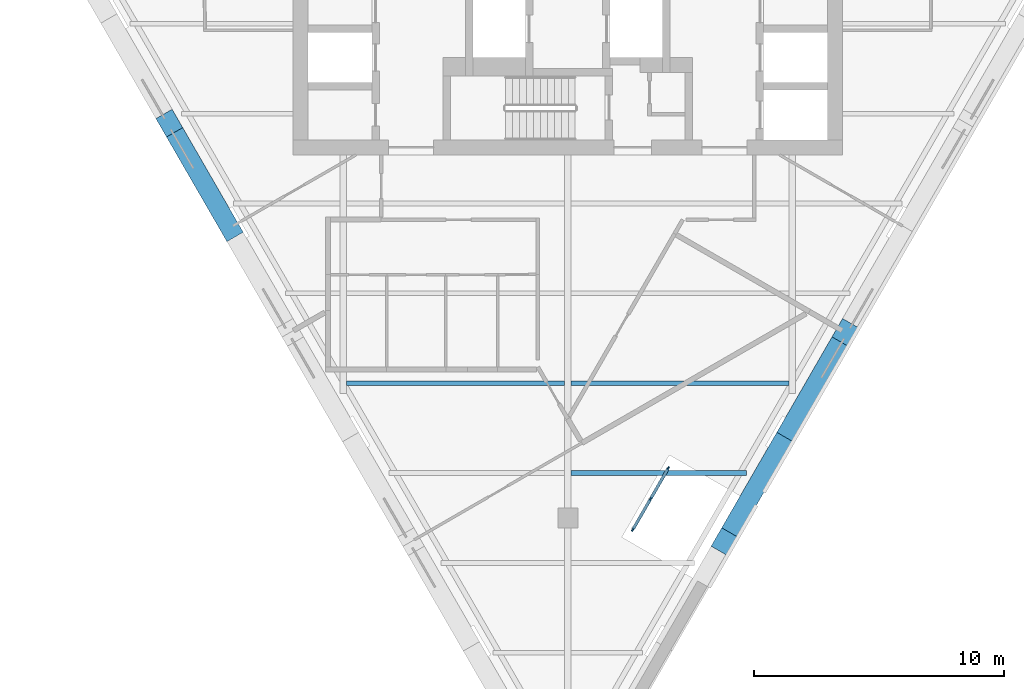
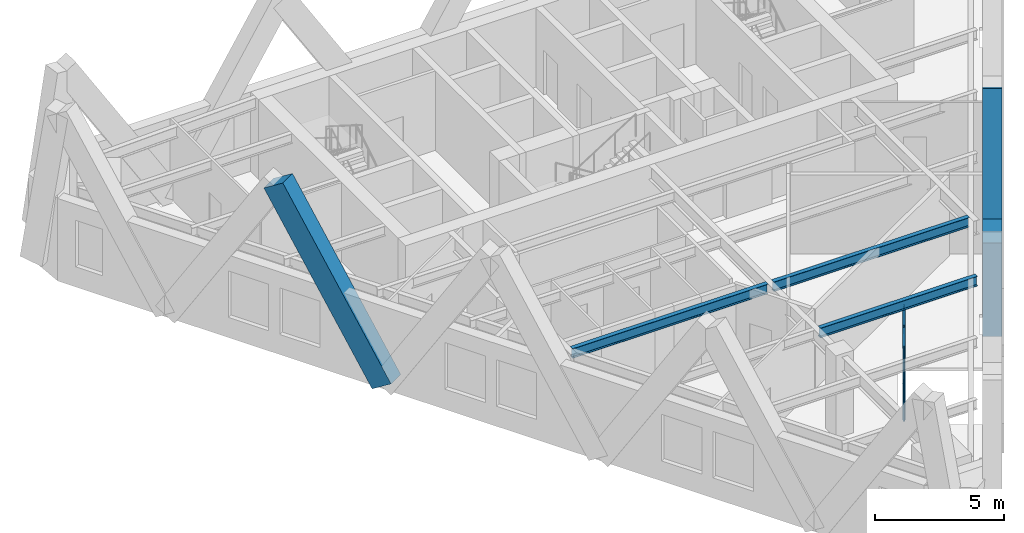
# One storey, part 2 of 10: 12 members, 3 beams, 1 element without a shape of its own.
"""IFC4 building model written with IfcOpenShell, lengths in metres."""

import ifcopenshell
import ifcopenshell.guid

model = None  # the IFC model being written
_history = None  # IfcOwnerHistory: only IFC2X3 demands one
_inside = {}  # id of a spatial element -> (the spatial element, [elements in it])
_under = {}  # id of a project, library or spatial element -> (it, [spatial elements below it])
_declared = {}  # id of a project -> (the project, [libraries it declares])
_typed = {}  # id of a type object -> (the type object, [elements of that type])
_made_of = {}  # id of a material, layer set ... -> (it, [elements and type objects made of it])


def new_model(schema):
    """Start an empty IFC model of exactly this schema.

    Asked for "IFC4X3", IfcOpenShell would pick the latest addendum, in which some entities
    have other attributes; the version numbers below select the first issue.
    IFC2X3 requires an IfcOwnerHistory on every rooted entity: one is made here for all.
    """
    global model, _history
    if schema == "IFC4X3":
        model = ifcopenshell.file(schema_version=(4, 3, 0, 0))
    else:
        model = ifcopenshell.file(schema=schema)
    _inside.clear()
    _under.clear()
    _declared.clear()
    _typed.clear()
    _made_of.clear()
    _history = None
    if model.schema == "IFC2X3":
        org = make("IfcOrganization", Name="unknown")
        user = make(
            "IfcPersonAndOrganization",
            ThePerson=make("IfcPerson", FamilyName="unknown"),
            TheOrganization=org,
        )
        app = make(
            "IfcApplication",
            ApplicationDeveloper=org,
            Version="unknown",
            ApplicationFullName="unknown",
            ApplicationIdentifier="unknown",
        )
        _history = make(
            "IfcOwnerHistory",
            OwningUser=user,
            OwningApplication=app,
            ChangeAction="ADDED",
            CreationDate=0,
        )
    return model


def make(cls, **values):
    """One entity of the class cls with the attributes given. An attribute that is None is left unset."""
    return model.create_entity(
        cls, **{name: value for name, value in values.items() if value is not None}
    )


def rooted(cls, **values):
    """An entity with a GlobalId (a new one), such as an element, a storey or a relation."""
    return make(cls, GlobalId=ifcopenshell.guid.new(), OwnerHistory=_history, **values)


def si_unit(unit_type, name, prefix=None):
    """IfcSIUnit, for example si_unit("LENGTHUNIT", "METRE", prefix="MILLI")."""
    return make("IfcSIUnit", UnitType=unit_type, Prefix=prefix, Name=name)


def assignment(units):
    """IfcUnitAssignment: the units of a project."""
    return None if units is None else make("IfcUnitAssignment", Units=units)


def point(xyz):
    """IfcCartesianPoint."""
    return None if xyz is None else make("IfcCartesianPoint", Coordinates=xyz)


def direction(xyz):
    """IfcDirection."""
    return None if xyz is None else make("IfcDirection", DirectionRatios=xyz)


def frame(location, z_axis=None, x_axis=None):
    """IfcAxis2Placement3D, a coordinate frame: its origin and axes. An axis left out is left unset."""
    return make(
        "IfcAxis2Placement3D",
        Location=point(location),
        Axis=direction(z_axis),
        RefDirection=direction(x_axis),
    )


def frame_2d(location, x_axis=None):
    """IfcAxis2Placement2D, a coordinate frame in the plane: its origin and x axis."""
    return make(
        "IfcAxis2Placement2D", Location=point(location), RefDirection=direction(x_axis)
    )


def origin():
    """The frame at (0, 0, 0) with its axes left unset."""
    return frame((0.0, 0.0, 0.0))


def origin_2d():
    """The frame at (0, 0) in the plane with its x axis left unset."""
    return frame_2d((0.0, 0.0))


def place(relative_to, where):
    """IfcLocalPlacement: puts the frame where relative to a parent placement (None: the world)."""
    return make(
        "IfcLocalPlacement", PlacementRelTo=relative_to, RelativePlacement=where
    )


def context(
    kind, dimensions, precision=None, world=None, true_north=None, identifier=None
):
    """IfcGeometricRepresentationContext, for example the 3D "Model" context."""
    return make(
        "IfcGeometricRepresentationContext",
        ContextIdentifier=identifier,
        ContextType=kind,
        CoordinateSpaceDimension=dimensions,
        Precision=precision,
        WorldCoordinateSystem=world,
        TrueNorth=true_north,
    )


def subcontext(parent, identifier, kind, view, scale=None):
    """IfcGeometricRepresentationSubContext, for example "Body" below "Model"."""
    return make(
        "IfcGeometricRepresentationSubContext",
        ContextIdentifier=identifier,
        ContextType=kind,
        ParentContext=parent,
        TargetScale=scale,
        TargetView=view,
    )


def project(units=None, contexts=None):
    """IfcProject with its units and contexts."""
    return rooted(
        "IfcProject",
        Name="project",
        RepresentationContexts=contexts,
        UnitsInContext=assignment(units),
    )


def spatial(cls, under=None, at=None, **own):
    """A site, building, storey or space (cls), placed at a placement, below another one or the project."""
    s = rooted(cls, ObjectPlacement=at, **own)
    if under is not None:
        _under.setdefault(under.id(), (under, []))[1].append(s)
    return s


def profile(cls, at=None, kind="AREA", **sizes):
    """A parametric profile (cls). Its sizes go by their IFC names, for example OverallWidth=200.0."""
    return make(cls, ProfileType=kind, Position=at, **sizes)


def rectangle(**sizes):
    """IfcRectangleProfileDef."""
    return profile("IfcRectangleProfileDef", **sizes)


def i_section(**sizes):
    """IfcIShapeProfileDef."""
    return profile("IfcIShapeProfileDef", **sizes)


def extrude(swept, where, along, depth):
    """IfcExtrudedAreaSolid: the profile swept, set in the frame where, extruded along a direction by depth."""
    return make(
        "IfcExtrudedAreaSolid",
        SweptArea=swept,
        Position=where,
        ExtrudedDirection=direction(along),
        Depth=depth,
    )


def shape(context_of_items, identifier, shape_type, items):
    """IfcShapeRepresentation: the items that make up one representation, for example the "Body"."""
    return make(
        "IfcShapeRepresentation",
        ContextOfItems=context_of_items,
        RepresentationIdentifier=identifier,
        RepresentationType=shape_type,
        Items=items,
    )


def material(Name=None, Category=None):
    """IfcMaterial."""
    return make("IfcMaterial", Name=Name, Category=Category)


def material_profile(
    of_material, cross_section, Name=None, Category=None, Priority=None
):
    """IfcMaterialProfile: a cross section and its material."""
    return make(
        "IfcMaterialProfile",
        Name=Name,
        Material=of_material,
        Profile=cross_section,
        Priority=Priority,
        Category=Category,
    )


def profile_set(profiles, Name=None, composite=None):
    """IfcMaterialProfileSet."""
    return make(
        "IfcMaterialProfileSet",
        Name=Name,
        MaterialProfiles=profiles,
        CompositeProfile=composite,
    )


def made_of(thing, what):
    """Note that an element or type object is made of a material, layer set ...; save() writes the relation."""
    if what is not None:
        _made_of.setdefault(what.id(), (what, []))[1].append(thing)
    return thing


def type_object(cls, material=None, **own):
    """A type object (cls), such as IfcWallType, which elements share."""
    return made_of(rooted(cls, **own), material)


def element(
    cls,
    number,
    at=None,
    inside=None,
    cuts=None,
    type_object=None,
    material=None,
    context=None,
    identifier="Body",
    shape_type=None,
    held_by="IfcProductDefinitionShape",
    body=None,
    shapes=None,
    **own,
):
    """One element of the class cls, such as IfcWall. Its Tag is "e" and its number.

    at: its placement. inside: the storey or other place that contains it. cuts: it is an
    opening in that element (IfcRelVoidsElement). A single representation is given by context,
    identifier, shape_type and body (its items); several are given by shapes. held_by: the class
    of the entity that holds the representations. save() writes the other relations.
    """
    e = rooted(cls, Tag="e%d" % number, ObjectPlacement=at, **own)
    if body is not None:
        shapes = [shape(context, identifier, shape_type, body)]
    if shapes is not None:
        e.Representation = make(held_by, Representations=shapes)
    if inside is not None:
        _inside.setdefault(inside.id(), (inside, []))[1].append(e)
    if cuts is not None:
        rooted(
            "IfcRelVoidsElement", RelatingBuildingElement=cuts, RelatedOpeningElement=e
        )
    if type_object is not None:
        _typed.setdefault(type_object.id(), (type_object, []))[1].append(e)
    return made_of(e, material)


def aggregate(whole, parts):
    """IfcRelAggregates: a whole, such as a stair, and the parts it consists of."""
    return rooted("IfcRelAggregates", RelatingObject=whole, RelatedObjects=parts)


def save(model, path):
    """Write the relations noted so far, then the file.

    IfcRelAggregates (storeys below a building ...), IfcRelContainedInSpatialStructure (elements
    in a storey), IfcRelDefinesByType, IfcRelAssociatesMaterial and IfcRelDeclares: one each for
    every whole, place, type object, material and project.
    """
    for whole, parts in _under.values():
        aggregate(whole, parts)
    for where, things in _inside.values():
        rooted(
            "IfcRelContainedInSpatialStructure",
            RelatedElements=things,
            RelatingStructure=where,
        )
    for kind, things in _typed.values():
        rooted("IfcRelDefinesByType", RelatedObjects=things, RelatingType=kind)
    for what, things in _made_of.values():
        rooted("IfcRelAssociatesMaterial", RelatedObjects=things, RelatingMaterial=what)
    for by, libraries in _declared.values():
        rooted("IfcRelDeclares", RelatingContext=by, RelatedDefinitions=libraries)
    model.write(path)


model = new_model("IFC4")

# Units and contexts
model_context = context("Model", 3, precision=1e-05, world=origin(), true_north=direction((0.0, 1.0)))
body_context = subcontext(model_context, "Body", "Model", "MODEL_VIEW")
ifc_project = project(units=[si_unit("LENGTHUNIT", "METRE"), si_unit("AREAUNIT", "SQUARE_METRE"), si_unit("VOLUMEUNIT", "CUBIC_METRE"), si_unit("PLANEANGLEUNIT", "RADIAN"), si_unit("MASSUNIT", "GRAM", prefix="KILO")], contexts=[model_context])

# Site, building, storey
site_placement = place(None, origin())
site = spatial("IfcSite", under=ifc_project, at=site_placement, CompositionType="ELEMENT")
building_placement = place(site_placement, origin())
building = spatial("IfcBuilding", under=site, at=building_placement, Name="Aloe Facet Convention Tower", CompositionType="ELEMENT")
storey_placement = place(building_placement, frame((0.0, 0.0, 219.199951171875)))
storey = spatial("IfcBuildingStorey", under=building, at=storey_placement, Name="L55", CompositionType="ELEMENT", Elevation=219.199951171875)

# Curtain wall, members
ifc_material_1 = material(Name="Aluminium, anodised", Category="aluminium")
curtain_wall_type = type_object("IfcCurtainWallType", Name="EV-CW-TERRACE", PredefinedType="USERDEFINED", material=ifc_material_1)
curtain_wall_placement = place(storey_placement, origin())
curtain_wall = element("IfcCurtainWall", 1, at=curtain_wall_placement, inside=storey, type_object=curtain_wall_type, Name="CW-T12", ObjectType="TERRACE BACK GLAZING", PredefinedType="USERDEFINED")
ifc_material_2 = material(Name="Aluminium, anodised", Category="aluminium")
ifc_material_profile_1 = material_profile(ifc_material_2, rectangle(XDim=0.06005859375, YDim=0.14990234375, at=origin_2d()), Name="AL 60x150")
ifc_profile_set_1 = profile_set([ifc_material_profile_1], Name="Aluminium, anodised")
member_type_1 = type_object("IfcMemberType", Name="EV-MULL-TERRACE", PredefinedType="MULLION", material=ifc_profile_set_1)
member_1_placement = place(storey_placement, frame((82.605224609375, 107.532958984375, -0.14990234375), z_axis=(0.0, 0.0, 1.0), x_axis=(-0.866025403784, 0.5, 0.0)))
member_1 = element("IfcMember", 2, at=member_1_placement, type_object=member_type_1, Name="CW-T12 mullion 1", PredefinedType="MULLION", context=body_context, shape_type="SweptSolid", body=[
    extrude(rectangle(XDim=0.06005859375, YDim=0.14990234375, at=origin_2d()), origin(), (0.0, 0.0, 1.0), 3.43994140625),
])
member_2_placement = place(storey_placement, frame((83.315185546875, 108.7626953125, -0.14990234375), z_axis=(0.0, 0.0, 1.0), x_axis=(-0.866025403784, 0.5, 0.0)))
member_2 = element("IfcMember", 3, at=member_2_placement, type_object=member_type_1, Name="CW-T12 mullion 2", PredefinedType="MULLION", context=body_context, shape_type="SweptSolid", body=[
    extrude(rectangle(XDim=0.06005859375, YDim=0.14990234375, at=origin_2d()), origin(), (0.0, 0.0, 1.0), 3.43994140625),
])
member_3_placement = place(storey_placement, frame((84.025146484375, 109.992431640625, -0.14990234375), z_axis=(0.0, 0.0, 1.0), x_axis=(-0.866025403784, 0.5, 0.0)))
member_3 = element("IfcMember", 4, at=member_3_placement, type_object=member_type_1, Name="CW-T12 mullion 3", PredefinedType="MULLION", context=body_context, shape_type="SweptSolid", body=[
    extrude(rectangle(XDim=0.06005859375, YDim=0.14990234375, at=origin_2d()), origin(), (0.0, 0.0, 1.0), 3.43994140625),
])
ifc_material_3 = material(Name="Aluminium, anodised", Category="aluminium")
ifc_material_profile_2 = material_profile(ifc_material_3, rectangle(XDim=0.1201171875, YDim=0.06005859375, at=origin_2d()), Name="AL 120x60")
ifc_profile_set_2 = profile_set([ifc_material_profile_2], Name="Aluminium, anodised")
member_type_2 = type_object("IfcMemberType", Name="EV-TRAN-TERRACE", PredefinedType="USERDEFINED", material=ifc_profile_set_2)
member_4_placement = place(storey_placement, frame((82.6201171875, 107.558837890625, -0.119873046875), z_axis=(0.50011608959, 0.865958369053, 0.0), x_axis=(-0.865958369053, 0.50011608959, 0.0)))
member_4 = element("IfcMember", 5, at=member_4_placement, type_object=member_type_2, Name="CW-T12 transom 1.1", ObjectType="TRANSOM", PredefinedType="USERDEFINED", context=body_context, shape_type="SweptSolid", body=[
    extrude(rectangle(XDim=0.1201171875, YDim=0.06005859375, at=origin_2d()), origin(), (0.0, 0.0, 1.0), 1.360107421875),
])
member_5_placement = place(storey_placement, frame((82.6201171875, 107.558837890625, 1.570068359375), z_axis=(0.50011608959, 0.865958369053, 0.0), x_axis=(-0.865958369053, 0.50011608959, 0.0)))
member_5 = element("IfcMember", 6, at=member_5_placement, type_object=member_type_2, Name="CW-T12 transom 1.2", ObjectType="TRANSOM", PredefinedType="USERDEFINED", context=body_context, shape_type="SweptSolid", body=[
    extrude(rectangle(XDim=0.1201171875, YDim=0.06005859375, at=origin_2d()), origin(), (0.0, 0.0, 1.0), 1.360107421875),
])
member_6_placement = place(storey_placement, frame((82.6201171875, 107.558837890625, 3.260009765625), z_axis=(0.50011608959, 0.865958369053, 0.0), x_axis=(-0.865958369053, 0.50011608959, 0.0)))
member_6 = element("IfcMember", 7, at=member_6_placement, type_object=member_type_2, Name="CW-T12 transom 1.3", ObjectType="TRANSOM", PredefinedType="USERDEFINED", context=body_context, shape_type="SweptSolid", body=[
    extrude(rectangle(XDim=0.1201171875, YDim=0.06005859375, at=origin_2d()), origin(), (0.0, 0.0, 1.0), 1.360107421875),
])
member_7_placement = place(storey_placement, frame((83.330322265625, 108.78857421875, -0.119873046875), z_axis=(0.499981459473, 0.866036107898, 0.0), x_axis=(-0.866036107898, 0.499981459473, 0.0)))
member_7 = element("IfcMember", 8, at=member_7_placement, type_object=member_type_2, Name="CW-T12 transom 2.1", ObjectType="TRANSOM", PredefinedType="USERDEFINED", context=body_context, shape_type="SweptSolid", body=[
    extrude(rectangle(XDim=0.1201171875, YDim=0.06005859375, at=origin_2d()), origin(), (0.0, 0.0, 1.0), 1.35986328125),
])
member_8_placement = place(storey_placement, frame((83.330322265625, 108.78857421875, 1.570068359375), z_axis=(0.499981459473, 0.866036107898, 0.0), x_axis=(-0.866036107898, 0.499981459473, 0.0)))
member_8 = element("IfcMember", 9, at=member_8_placement, type_object=member_type_2, Name="CW-T12 transom 2.2", ObjectType="TRANSOM", PredefinedType="USERDEFINED", context=body_context, shape_type="SweptSolid", body=[
    extrude(rectangle(XDim=0.1201171875, YDim=0.06005859375, at=origin_2d()), origin(), (0.0, 0.0, 1.0), 1.35986328125),
])
member_9_placement = place(storey_placement, frame((83.330322265625, 108.78857421875, 3.260009765625), z_axis=(0.499981459473, 0.866036107898, 0.0), x_axis=(-0.866036107898, 0.499981459473, 0.0)))
member_9 = element("IfcMember", 10, at=member_9_placement, type_object=member_type_2, Name="CW-T12 transom 2.3", ObjectType="TRANSOM", PredefinedType="USERDEFINED", context=body_context, shape_type="SweptSolid", body=[
    extrude(rectangle(XDim=0.1201171875, YDim=0.06005859375, at=origin_2d()), origin(), (0.0, 0.0, 1.0), 1.35986328125),
])
aggregate(curtain_wall, [member_1, member_2, member_3, member_4, member_5, member_6, member_7, member_8, member_9])

# Beams
ifc_material_4 = material(Name="Steel S355", Category="steel")
ifc_material_profile_3 = material_profile(ifc_material_4, i_section(OverallWidth=0.19140625, OverallDepth=0.4599609375, WebThickness=0.010009765625, FlangeThickness=0.01611328125, FilletRadius=0.01025390625, at=origin_2d()), Name="UB 457x191x82")
ifc_profile_set_3 = profile_set([ifc_material_profile_3], Name="Steel S355")
beam_type = type_object("IfcBeamType", Name="SF-B-UB457x191x82", PredefinedType="BEAM", material=ifc_profile_set_3)
beam_1_placement = place(storey_placement, frame((71.12646484375, 113.39990234375, 3.52001953125), z_axis=(1.0, 0.0, 0.0), x_axis=(0.0, 1.0, 0.0)))
element("IfcBeam", 11, at=beam_1_placement, inside=storey, type_object=beam_type, Name="Floor beam FB-Z4B-014", PredefinedType="BEAM", context=body_context, shape_type="SweptSolid", body=[
    extrude(i_section(OverallWidth=0.19140625, OverallDepth=0.4599609375, WebThickness=0.010009765625, FlangeThickness=0.01611328125, FilletRadius=0.01025390625, at=origin_2d()), origin(), (0.0, 0.0, 1.0), 8.7470703125),
])
beam_2_placement = place(storey_placement, frame((80.12646484375, 109.800048828125, 3.52001953125), z_axis=(1.0, 0.0, 0.0), x_axis=(0.0, 1.0, 0.0)))
element("IfcBeam", 12, at=beam_2_placement, inside=storey, type_object=beam_type, Name="Floor beam FB-Z4B-022", PredefinedType="BEAM", context=body_context, shape_type="SweptSolid", body=[
    extrude(i_section(OverallWidth=0.19140625, OverallDepth=0.4599609375, WebThickness=0.010009765625, FlangeThickness=0.01611328125, FilletRadius=0.01025390625, at=origin_2d()), origin(), (0.0, 0.0, 1.0), 7.029052734375),
])
beam_3_placement = place(storey_placement, frame((80.12646484375, 113.39990234375, 3.52001953125), z_axis=(1.0, 0.0, 0.0), x_axis=(0.0, 1.0, 0.0)))
element("IfcBeam", 13, at=beam_3_placement, inside=storey, type_object=beam_type, Name="Floor beam FB-Z4B-023", PredefinedType="BEAM", context=body_context, shape_type="SweptSolid", body=[
    extrude(i_section(OverallWidth=0.19140625, OverallDepth=0.4599609375, WebThickness=0.010009765625, FlangeThickness=0.01611328125, FilletRadius=0.01025390625, at=origin_2d()), origin(), (0.0, 0.0, 1.0), 8.7470703125),
])

# Members
ifc_material_5 = material(Name="Concrete C60/75, bronze oxide finish", Category="concrete")
ifc_material_profile_4 = material_profile(ifc_material_5, rectangle(XDim=0.75, YDim=1.0, at=origin_2d()), Name="STW-LM")
ifc_profile_set_4 = profile_set([ifc_material_profile_4], Name="Concrete C60/75, bronze oxide finish")
member_type_3 = type_object("IfcMemberType", Name="STW-LM", PredefinedType="BRACE", material=ifc_profile_set_4)
member_10_placement = place(storey_placement, frame((66.45703125, 119.6279296875, 0.0), z_axis=(-0.263681570082, 0.456675735901, 0.849658344182), x_axis=(-0.866009217892, -0.500028033741, 0.0)))
element("IfcMember", 14, at=member_10_placement, inside=storey, type_object=member_type_3, Name="Lattice member LM-Z4-F2-R5-03", PredefinedType="BRACE", context=body_context, shape_type="SweptSolid", body=[
    extrude(rectangle(XDim=0.75, YDim=1.0, at=origin_2d()), origin(), (0.0, 0.0, 1.0), 9.18017578125),
])
for number, where, z_axis, x_axis, name in (
    (15, (88.701904296875, 111.24267578125, 0.0), (-0.263678367654, -0.456696783431, 0.849648025029), (0.866021826347, -0.500006196252, 0.0), "Lattice member LM-Z4-F3-R5-03"),
    (16, (88.701904296875, 111.24267578125, 0.0), (0.263678367654, 0.456696783431, 0.849648025029), (-0.866021826347, 0.500006196252, 0.0), "Lattice member LM-Z4-F3-R5-04"),
):
    element("IfcMember", number, at=place(storey_placement, frame(where, z_axis=z_axis, x_axis=x_axis)), inside=storey, type_object=member_type_3, Name=name, PredefinedType="BRACE", context=body_context, shape_type="SweptSolid", body=[
        extrude(rectangle(XDim=0.75, YDim=1.0, at=origin_2d()), origin(), (0.0, 0.0, 1.0), 9.180419921875),
    ])

save(model, "model.ifc")
